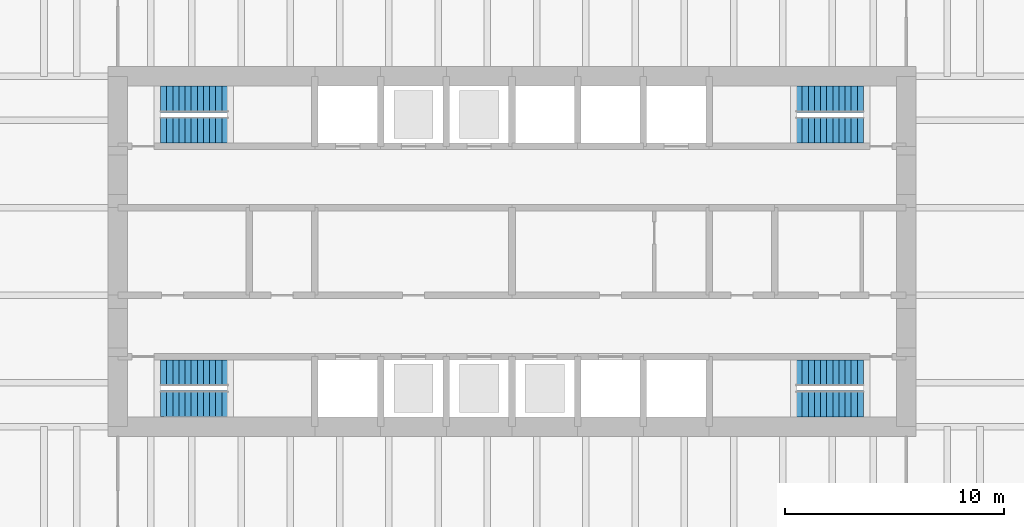
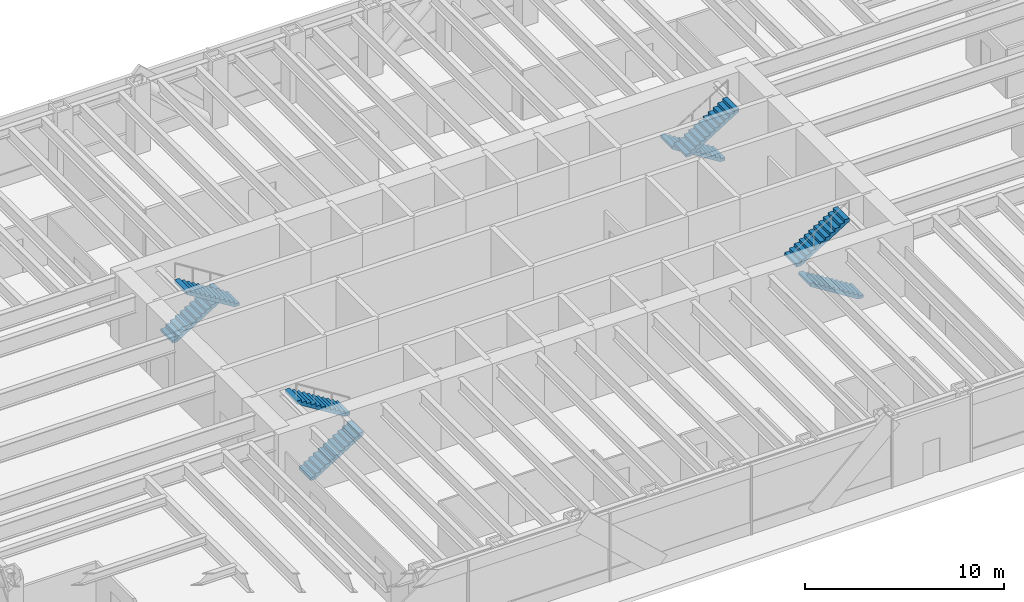
# One storey, part 12 of 14: 8 stair flights, 4 elements without a shape of their own.
"""IFC4 building model written with IfcOpenShell, lengths in metres."""

from ifc_helpers import new_model, si_unit, direction, frame, origin, place, context, subcontext, project, spatial, polyline, outline, extrude, material, type_object, element, aggregate, save


model = new_model("IFC4")

# Units and contexts
model_context = context("Model", 3, precision=1e-05, world=origin(), true_north=direction((0.0, 1.0)))
body_context = subcontext(model_context, "Body", "Model", "MODEL_VIEW")
ifc_project = project(units=[si_unit("LENGTHUNIT", "METRE"), si_unit("AREAUNIT", "SQUARE_METRE"), si_unit("VOLUMEUNIT", "CUBIC_METRE"), si_unit("PLANEANGLEUNIT", "RADIAN"), si_unit("MASSUNIT", "GRAM", prefix="KILO")], contexts=[model_context])

# Site, building, storey
site_placement = place(None, origin())
site = spatial("IfcSite", under=ifc_project, at=site_placement, CompositionType="ELEMENT")
building_placement = place(site_placement, origin())
building = spatial("IfcBuilding", under=site, at=building_placement, Name="Rheinbord Bourse Tower", CompositionType="ELEMENT")
storey_placement = place(building_placement, frame((0.0, 0.0, 100.5)))
storey = spatial("IfcBuildingStorey", under=building, at=storey_placement, Name="L21", CompositionType="ELEMENT", Elevation=100.5)

# Stair, stair flights
ifc_material_1 = material(Name="Concrete C30/37", Category="concrete")
stair_type = type_object("IfcStairType", Name="CORE STAIR HALF TURN 4200", PredefinedType="HALF_TURN_STAIR", material=ifc_material_1)
stair_1_placement = place(storey_placement, origin())
stair_1 = element("IfcStair", 1, at=stair_1_placement, inside=storey, type_object=stair_type, Name="Stair ST1 L21, type CS6", PredefinedType="HALF_TURN_STAIR")
ifc_material_2 = material(Name="Concrete C30/37", Category="concrete")
stair_flight_type = type_object("IfcStairFlightType", Name="CORE STAIR FLIGHT 1200, 12 RISERS", PredefinedType="STRAIGHT", material=ifc_material_2)
stair_flight_1_placement = place(storey_placement, frame((19.949951171875, 17.050048828125, 0.0), z_axis=(0.0, 0.0, 1.0), x_axis=(1.0, 0.0, 0.0)))
stair_flight_1 = element("IfcStairFlight", 2, at=stair_flight_1_placement, type_object=stair_flight_type, Name="STAIR L21 ST1 F1", NumberOfRisers=12, NumberOfTreads=11, PredefinedType="STRAIGHT", RiserHeight=0.175, TreadLength=0.28, context=body_context, shape_type="SweptSolid", body=[
    extrude(outline(polyline([(0.0, 0.0), (0.0, 0.175048828125), (0.280029296875, 0.175048828125), (0.280029296875, 0.35009765625), (0.56005859375, 0.35009765625), (0.56005859375, 0.52490234375), (0.840087890625, 0.52490234375), (0.840087890625, 0.699951171875), (1.1201171875, 0.699951171875), (1.1201171875, 0.875), (1.39990234375, 0.875), (1.39990234375, 1.050048828125), (1.679931640625, 1.050048828125), (1.679931640625, 1.22509765625), (1.9599609375, 1.22509765625), (1.9599609375, 1.39990234375), (2.239990234375, 1.39990234375), (2.239990234375, 1.574951171875), (2.52001953125, 1.574951171875), (2.52001953125, 1.75), (2.800048828125, 1.75), (2.800048828125, 1.925048828125), (3.080078125, 1.925048828125), (3.080078125, 2.10009765625), (3.080078125, 1.748291015625), (0.28271484375, 0.0), (0.0, 0.0)])), frame((0.0, 0.60009765625, 0.0), z_axis=(0.0, -1.0, 0.0), x_axis=(1.0, 0.0, 0.0)), (0.0, 0.0, 1.0), 1.199951171875),
])
stair_flight_2_placement = place(storey_placement, frame((23.030029296875, 18.449951171875, 2.10009765625), z_axis=(0.0, 0.0, 1.0), x_axis=(-1.0, 0.0, 0.0)))
stair_flight_2 = element("IfcStairFlight", 3, at=stair_flight_2_placement, type_object=stair_flight_type, Name="STAIR L21 ST1 F2", NumberOfRisers=12, NumberOfTreads=11, PredefinedType="STRAIGHT", RiserHeight=0.175, TreadLength=0.28, context=body_context, shape_type="SweptSolid", body=[
    extrude(outline(polyline([(0.0, 0.0), (0.0, 0.175048828125), (0.280029296875, 0.175048828125), (0.280029296875, 0.35009765625), (0.56005859375, 0.35009765625), (0.56005859375, 0.52490234375), (0.840087890625, 0.52490234375), (0.840087890625, 0.699951171875), (1.1201171875, 0.699951171875), (1.1201171875, 0.875), (1.39990234375, 0.875), (1.39990234375, 1.050048828125), (1.679931640625, 1.050048828125), (1.679931640625, 1.22509765625), (1.9599609375, 1.22509765625), (1.9599609375, 1.39990234375), (2.239990234375, 1.39990234375), (2.239990234375, 1.574951171875), (2.52001953125, 1.574951171875), (2.52001953125, 1.75), (2.800048828125, 1.75), (2.800048828125, 1.925048828125), (3.080078125, 1.925048828125), (3.080078125, 2.10009765625), (3.080078125, 1.748291015625), (0.28271484375, 0.0), (0.0, 0.0)])), frame((0.0, 0.60009765625, 0.0), z_axis=(0.0, -1.0, 0.0), x_axis=(1.0, 0.0, 0.0)), (0.0, 0.0, 1.0), 1.199951171875),
])
aggregate(stair_1, [stair_flight_1, stair_flight_2])

stair_2_placement = place(storey_placement, origin())
stair_2 = element("IfcStair", 4, at=stair_2_placement, inside=storey, type_object=stair_type, Name="Stair ST2 L21, type CS6", PredefinedType="HALF_TURN_STAIR")
stair_flight_3_placement = place(storey_placement, frame((19.949951171875, 30.949951171875, 0.0), z_axis=(0.0, 0.0, 1.0), x_axis=(1.0, 0.0, 0.0)))
stair_flight_3 = element("IfcStairFlight", 5, at=stair_flight_3_placement, type_object=stair_flight_type, Name="STAIR L21 ST2 F1", NumberOfRisers=12, NumberOfTreads=11, PredefinedType="STRAIGHT", RiserHeight=0.175, TreadLength=0.28, context=body_context, shape_type="SweptSolid", body=[
    extrude(outline(polyline([(0.0, 0.0), (0.0, 0.175048828125), (0.280029296875, 0.175048828125), (0.280029296875, 0.35009765625), (0.56005859375, 0.35009765625), (0.56005859375, 0.52490234375), (0.840087890625, 0.52490234375), (0.840087890625, 0.699951171875), (1.1201171875, 0.699951171875), (1.1201171875, 0.875), (1.39990234375, 0.875), (1.39990234375, 1.050048828125), (1.679931640625, 1.050048828125), (1.679931640625, 1.22509765625), (1.9599609375, 1.22509765625), (1.9599609375, 1.39990234375), (2.239990234375, 1.39990234375), (2.239990234375, 1.574951171875), (2.52001953125, 1.574951171875), (2.52001953125, 1.75), (2.800048828125, 1.75), (2.800048828125, 1.925048828125), (3.080078125, 1.925048828125), (3.080078125, 2.10009765625), (3.080078125, 1.748291015625), (0.28271484375, 0.0), (0.0, 0.0)])), frame((0.0, 0.60009765625, 0.0), z_axis=(0.0, -1.0, 0.0), x_axis=(1.0, 0.0, 0.0)), (0.0, 0.0, 1.0), 1.199951171875),
])
stair_flight_4_placement = place(storey_placement, frame((23.030029296875, 29.550048828125, 2.10009765625), z_axis=(0.0, 0.0, 1.0), x_axis=(-1.0, 0.0, 0.0)))
stair_flight_4 = element("IfcStairFlight", 6, at=stair_flight_4_placement, type_object=stair_flight_type, Name="STAIR L21 ST2 F2", NumberOfRisers=12, NumberOfTreads=11, PredefinedType="STRAIGHT", RiserHeight=0.175, TreadLength=0.28, context=body_context, shape_type="SweptSolid", body=[
    extrude(outline(polyline([(0.0, 0.0), (0.0, 0.175048828125), (0.280029296875, 0.175048828125), (0.280029296875, 0.35009765625), (0.56005859375, 0.35009765625), (0.56005859375, 0.52490234375), (0.840087890625, 0.52490234375), (0.840087890625, 0.699951171875), (1.1201171875, 0.699951171875), (1.1201171875, 0.875), (1.39990234375, 0.875), (1.39990234375, 1.050048828125), (1.679931640625, 1.050048828125), (1.679931640625, 1.22509765625), (1.9599609375, 1.22509765625), (1.9599609375, 1.39990234375), (2.239990234375, 1.39990234375), (2.239990234375, 1.574951171875), (2.52001953125, 1.574951171875), (2.52001953125, 1.75), (2.800048828125, 1.75), (2.800048828125, 1.925048828125), (3.080078125, 1.925048828125), (3.080078125, 2.10009765625), (3.080078125, 1.748291015625), (0.28271484375, 0.0), (0.0, 0.0)])), frame((0.0, 0.60009765625, 0.0), z_axis=(0.0, -1.0, 0.0), x_axis=(1.0, 0.0, 0.0)), (0.0, 0.0, 1.0), 1.199951171875),
])
aggregate(stair_2, [stair_flight_3, stair_flight_4])

stair_3_placement = place(storey_placement, origin())
stair_3 = element("IfcStair", 7, at=stair_3_placement, inside=storey, type_object=stair_type, Name="Stair ST3 L21, type CS6", PredefinedType="HALF_TURN_STAIR")
stair_flight_5_placement = place(storey_placement, frame((52.050048828125, 17.050048828125, 0.0), z_axis=(0.0, 0.0, 1.0), x_axis=(-1.0, 0.0, 0.0)))
stair_flight_5 = element("IfcStairFlight", 8, at=stair_flight_5_placement, type_object=stair_flight_type, Name="STAIR L21 ST3 F1", NumberOfRisers=12, NumberOfTreads=11, PredefinedType="STRAIGHT", RiserHeight=0.175, TreadLength=0.28, context=body_context, shape_type="SweptSolid", body=[
    extrude(outline(polyline([(0.0, 0.0), (0.0, 0.175048828125), (0.280029296875, 0.175048828125), (0.280029296875, 0.35009765625), (0.56005859375, 0.35009765625), (0.56005859375, 0.52490234375), (0.840087890625, 0.52490234375), (0.840087890625, 0.699951171875), (1.1201171875, 0.699951171875), (1.1201171875, 0.875), (1.39990234375, 0.875), (1.39990234375, 1.050048828125), (1.679931640625, 1.050048828125), (1.679931640625, 1.22509765625), (1.9599609375, 1.22509765625), (1.9599609375, 1.39990234375), (2.239990234375, 1.39990234375), (2.239990234375, 1.574951171875), (2.52001953125, 1.574951171875), (2.52001953125, 1.75), (2.800048828125, 1.75), (2.800048828125, 1.925048828125), (3.080078125, 1.925048828125), (3.080078125, 2.10009765625), (3.080078125, 1.748291015625), (0.28271484375, 0.0), (0.0, 0.0)])), frame((0.0, 0.60009765625, 0.0), z_axis=(0.0, -1.0, 0.0), x_axis=(1.0, 0.0, 0.0)), (0.0, 0.0, 1.0), 1.199951171875),
])
stair_flight_6_placement = place(storey_placement, frame((48.969970703125, 18.449951171875, 2.10009765625), z_axis=(0.0, 0.0, 1.0), x_axis=(1.0, 0.0, 0.0)))
stair_flight_6 = element("IfcStairFlight", 9, at=stair_flight_6_placement, type_object=stair_flight_type, Name="STAIR L21 ST3 F2", NumberOfRisers=12, NumberOfTreads=11, PredefinedType="STRAIGHT", RiserHeight=0.175, TreadLength=0.28, context=body_context, shape_type="SweptSolid", body=[
    extrude(outline(polyline([(0.0, 0.0), (0.0, 0.175048828125), (0.280029296875, 0.175048828125), (0.280029296875, 0.35009765625), (0.56005859375, 0.35009765625), (0.56005859375, 0.52490234375), (0.840087890625, 0.52490234375), (0.840087890625, 0.699951171875), (1.1201171875, 0.699951171875), (1.1201171875, 0.875), (1.39990234375, 0.875), (1.39990234375, 1.050048828125), (1.679931640625, 1.050048828125), (1.679931640625, 1.22509765625), (1.9599609375, 1.22509765625), (1.9599609375, 1.39990234375), (2.239990234375, 1.39990234375), (2.239990234375, 1.574951171875), (2.52001953125, 1.574951171875), (2.52001953125, 1.75), (2.800048828125, 1.75), (2.800048828125, 1.925048828125), (3.080078125, 1.925048828125), (3.080078125, 2.10009765625), (3.080078125, 1.748291015625), (0.28271484375, 0.0), (0.0, 0.0)])), frame((0.0, 0.60009765625, 0.0), z_axis=(0.0, -1.0, 0.0), x_axis=(1.0, 0.0, 0.0)), (0.0, 0.0, 1.0), 1.199951171875),
])
aggregate(stair_3, [stair_flight_5, stair_flight_6])

stair_4_placement = place(storey_placement, origin())
stair_4 = element("IfcStair", 10, at=stair_4_placement, inside=storey, type_object=stair_type, Name="Stair ST4 L21, type CS6", PredefinedType="HALF_TURN_STAIR")
stair_flight_7_placement = place(storey_placement, frame((52.050048828125, 30.949951171875, 0.0), z_axis=(0.0, 0.0, 1.0), x_axis=(-1.0, 0.0, 0.0)))
stair_flight_7 = element("IfcStairFlight", 11, at=stair_flight_7_placement, type_object=stair_flight_type, Name="STAIR L21 ST4 F1", NumberOfRisers=12, NumberOfTreads=11, PredefinedType="STRAIGHT", RiserHeight=0.175, TreadLength=0.28, context=body_context, shape_type="SweptSolid", body=[
    extrude(outline(polyline([(0.0, 0.0), (0.0, 0.175048828125), (0.280029296875, 0.175048828125), (0.280029296875, 0.35009765625), (0.56005859375, 0.35009765625), (0.56005859375, 0.52490234375), (0.840087890625, 0.52490234375), (0.840087890625, 0.699951171875), (1.1201171875, 0.699951171875), (1.1201171875, 0.875), (1.39990234375, 0.875), (1.39990234375, 1.050048828125), (1.679931640625, 1.050048828125), (1.679931640625, 1.22509765625), (1.9599609375, 1.22509765625), (1.9599609375, 1.39990234375), (2.239990234375, 1.39990234375), (2.239990234375, 1.574951171875), (2.52001953125, 1.574951171875), (2.52001953125, 1.75), (2.800048828125, 1.75), (2.800048828125, 1.925048828125), (3.080078125, 1.925048828125), (3.080078125, 2.10009765625), (3.080078125, 1.748291015625), (0.28271484375, 0.0), (0.0, 0.0)])), frame((0.0, 0.60009765625, 0.0), z_axis=(0.0, -1.0, 0.0), x_axis=(1.0, 0.0, 0.0)), (0.0, 0.0, 1.0), 1.199951171875),
])
stair_flight_8_placement = place(storey_placement, frame((48.969970703125, 29.550048828125, 2.10009765625), z_axis=(0.0, 0.0, 1.0), x_axis=(1.0, 0.0, 0.0)))
stair_flight_8 = element("IfcStairFlight", 12, at=stair_flight_8_placement, type_object=stair_flight_type, Name="STAIR L21 ST4 F2", NumberOfRisers=12, NumberOfTreads=11, PredefinedType="STRAIGHT", RiserHeight=0.175, TreadLength=0.28, context=body_context, shape_type="SweptSolid", body=[
    extrude(outline(polyline([(0.0, 0.0), (0.0, 0.175048828125), (0.280029296875, 0.175048828125), (0.280029296875, 0.35009765625), (0.56005859375, 0.35009765625), (0.56005859375, 0.52490234375), (0.840087890625, 0.52490234375), (0.840087890625, 0.699951171875), (1.1201171875, 0.699951171875), (1.1201171875, 0.875), (1.39990234375, 0.875), (1.39990234375, 1.050048828125), (1.679931640625, 1.050048828125), (1.679931640625, 1.22509765625), (1.9599609375, 1.22509765625), (1.9599609375, 1.39990234375), (2.239990234375, 1.39990234375), (2.239990234375, 1.574951171875), (2.52001953125, 1.574951171875), (2.52001953125, 1.75), (2.800048828125, 1.75), (2.800048828125, 1.925048828125), (3.080078125, 1.925048828125), (3.080078125, 2.10009765625), (3.080078125, 1.748291015625), (0.28271484375, 0.0), (0.0, 0.0)])), frame((0.0, 0.60009765625, 0.0), z_axis=(0.0, -1.0, 0.0), x_axis=(1.0, 0.0, 0.0)), (0.0, 0.0, 1.0), 1.199951171875),
])
aggregate(stair_4, [stair_flight_7, stair_flight_8])

save(model, "model.ifc")
